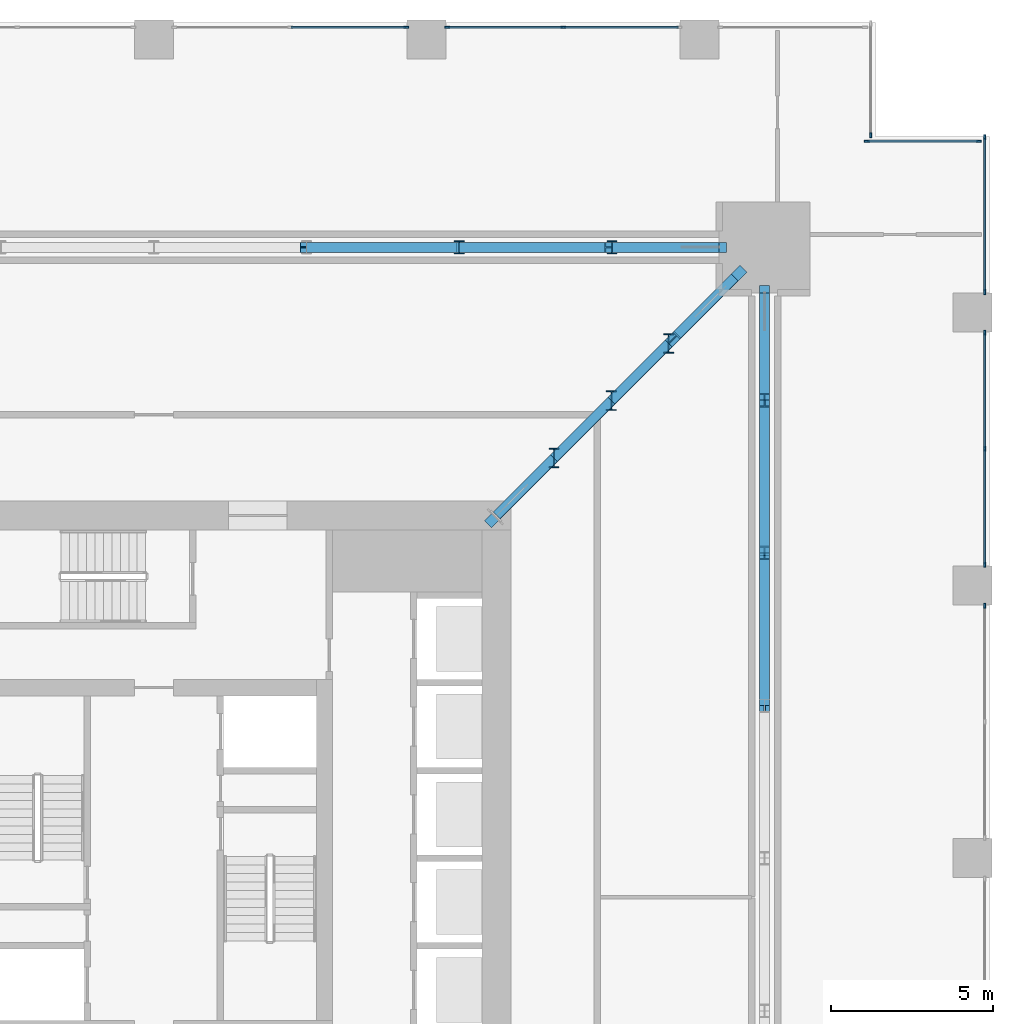
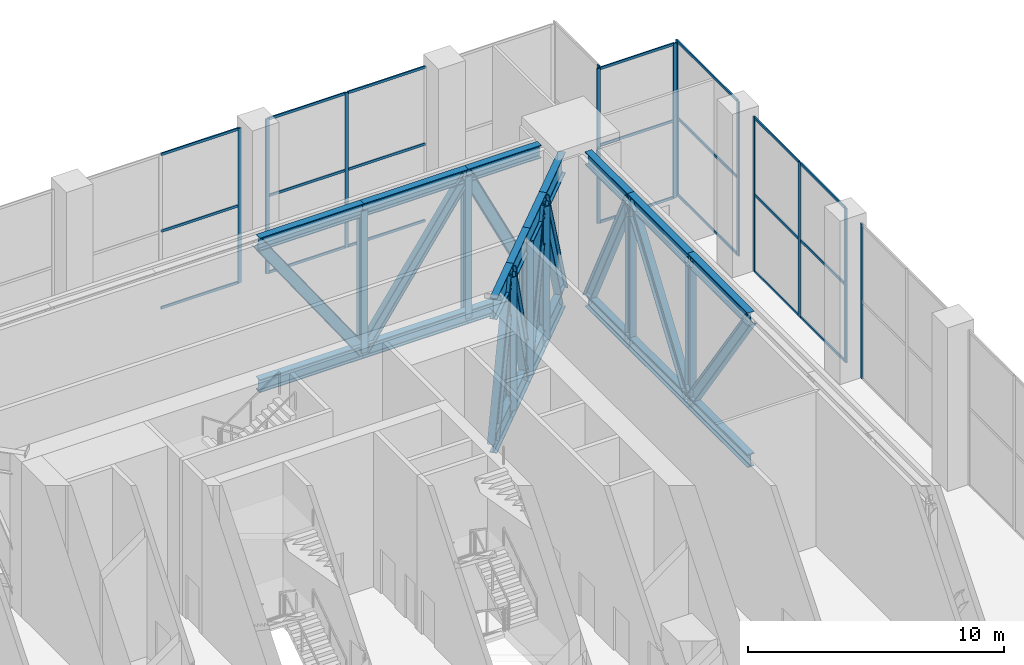
# One storey, part 9 of 21: 70 members, 7 elements without a shape of their own.
"""IFC4 building model written with IfcOpenShell, lengths in metres."""

from ifc_helpers import new_model, si_unit, direction, frame, origin, origin_2d, place, context, subcontext, project, spatial, rectangle, i_section, extrude, material, material_profile, profile_set, type_object, element, aggregate, save


model = new_model("IFC4")

# Units and contexts
model_context = context("Model", 3, precision=1e-05, world=origin(), true_north=direction((0.0, 1.0)))
body_context = subcontext(model_context, "Body", "Model", "MODEL_VIEW")
ifc_project = project(units=[si_unit("LENGTHUNIT", "METRE"), si_unit("AREAUNIT", "SQUARE_METRE"), si_unit("VOLUMEUNIT", "CUBIC_METRE"), si_unit("PLANEANGLEUNIT", "RADIAN"), si_unit("MASSUNIT", "GRAM", prefix="KILO")], contexts=[model_context])

# Site, building, storey
site_placement = place(None, origin())
site = spatial("IfcSite", under=ifc_project, at=site_placement, CompositionType="ELEMENT")
building_placement = place(site_placement, origin())
building = spatial("IfcBuilding", under=site, at=building_placement, Name="Khepri Terraces", CompositionType="ELEMENT")
storey_placement = place(building_placement, frame((0.0, 0.0, 126.0)))
storey = spatial("IfcBuildingStorey", under=building, at=storey_placement, Name="L30", CompositionType="ELEMENT", Elevation=126.0)

# Members
ifc_material_1 = material(Name="Steel S355", Category="steel")
ifc_material_profile_1 = material_profile(ifc_material_1, i_section(OverallWidth=0.304931640625, OverallDepth=0.6201171875, WebThickness=0.02099609375, FlangeThickness=0.0400390625, FilletRadius=0.027099609375, at=origin_2d()), Name="Steel S355", Category="steel")
ifc_profile_set_1 = profile_set([ifc_material_profile_1], Name="Steel S355")
member_type_1 = type_object("IfcMemberType", Name="Belt truss chord HEM 600", PredefinedType="CHORD", material=ifc_profile_set_1)
for number, where, z_axis, x_axis, name in (
    (1, (18.800048828125, 4.699951171875, 0.31005859375), (0.0, 1.0, 0.0), (-1.0, 0.0, 0.0), "Belt truss chord BT-30-E bottom 6"),
    (2, (18.800048828125, 4.699951171875, 7.070068359375), (0.0, 1.0, 0.0), (-1.0, 0.0, 0.0), "Belt truss chord BT-30-E top 6"),
):
    element("IfcMember", number, at=place(storey_placement, frame(where, z_axis=z_axis, x_axis=x_axis)), inside=storey, type_object=member_type_1, Name=name, PredefinedType="CHORD", context=body_context, shape_type="SweptSolid", body=[
        extrude(i_section(OverallWidth=0.304931640625, OverallDepth=0.6201171875, WebThickness=0.02099609375, FlangeThickness=0.0400390625, FilletRadius=0.027099609375, at=origin_2d()), origin(), (0.0, 0.0, 1.0), 4.699951171875),
    ])
for number, where, z_axis, x_axis, name in (
    (3, (18.800048828125, 9.39990234375, 0.31005859375), (0.0, 1.0, 0.0), (-1.0, 0.0, 0.0), "Belt truss chord BT-30-E bottom 7"),
    (4, (18.800048828125, 9.39990234375, 7.070068359375), (0.0, 1.0, 0.0), (-1.0, 0.0, 0.0), "Belt truss chord BT-30-E top 7"),
):
    element("IfcMember", number, at=place(storey_placement, frame(where, z_axis=z_axis, x_axis=x_axis)), inside=storey, type_object=member_type_1, Name=name, PredefinedType="CHORD", context=body_context, shape_type="SweptSolid", body=[
        extrude(i_section(OverallWidth=0.304931640625, OverallDepth=0.6201171875, WebThickness=0.02099609375, FlangeThickness=0.0400390625, FilletRadius=0.027099609375, at=origin_2d()), origin(), (0.0, 0.0, 1.0), 4.7001953125),
    ])
for number, where, z_axis, x_axis, name in (
    (5, (18.800048828125, 14.10009765625, 0.31005859375), (0.0, 1.0, 0.0), (-1.0, 0.0, 0.0), "Belt truss chord BT-30-E bottom 8"),
    (6, (18.800048828125, 14.10009765625, 7.070068359375), (0.0, 1.0, 0.0), (-1.0, 0.0, 0.0), "Belt truss chord BT-30-E top 8"),
    (7, (17.39990234375, 18.800048828125, 0.31005859375), (-1.0, 0.0, 0.0), (0.0, -1.0, 0.0), "Belt truss chord BT-30-N bottom 1"),
    (8, (17.39990234375, 18.800048828125, 7.070068359375), (-1.0, 0.0, 0.0), (0.0, -1.0, 0.0), "Belt truss chord BT-30-N top 1"),
):
    element("IfcMember", number, at=place(storey_placement, frame(where, z_axis=z_axis, x_axis=x_axis)), inside=storey, type_object=member_type_1, Name=name, PredefinedType="CHORD", context=body_context, shape_type="SweptSolid", body=[
        extrude(i_section(OverallWidth=0.304931640625, OverallDepth=0.6201171875, WebThickness=0.02099609375, FlangeThickness=0.0400390625, FilletRadius=0.027099609375, at=origin_2d()), origin(), (0.0, 0.0, 1.0), 3.2998046875),
    ])
for number, where, z_axis, x_axis, name in (
    (9, (14.10009765625, 18.800048828125, 0.31005859375), (-1.0, 0.0, 0.0), (0.0, -1.0, 0.0), "Belt truss chord BT-30-N bottom 2"),
    (10, (14.10009765625, 18.800048828125, 7.070068359375), (-1.0, 0.0, 0.0), (0.0, -1.0, 0.0), "Belt truss chord BT-30-N top 2"),
):
    element("IfcMember", number, at=place(storey_placement, frame(where, z_axis=z_axis, x_axis=x_axis)), inside=storey, type_object=member_type_1, Name=name, PredefinedType="CHORD", context=body_context, shape_type="SweptSolid", body=[
        extrude(i_section(OverallWidth=0.304931640625, OverallDepth=0.6201171875, WebThickness=0.02099609375, FlangeThickness=0.0400390625, FilletRadius=0.027099609375, at=origin_2d()), origin(), (0.0, 0.0, 1.0), 4.7001953125),
    ])
for number, where, z_axis, x_axis, name in (
    (11, (9.39990234375, 18.800048828125, 0.31005859375), (-1.0, 0.0, 0.0), (0.0, -1.0, 0.0), "Belt truss chord BT-30-N bottom 3"),
    (12, (9.39990234375, 18.800048828125, 7.070068359375), (-1.0, 0.0, 0.0), (0.0, -1.0, 0.0), "Belt truss chord BT-30-N top 3"),
):
    element("IfcMember", number, at=place(storey_placement, frame(where, z_axis=z_axis, x_axis=x_axis)), inside=storey, type_object=member_type_1, Name=name, PredefinedType="CHORD", context=body_context, shape_type="SweptSolid", body=[
        extrude(i_section(OverallWidth=0.304931640625, OverallDepth=0.6201171875, WebThickness=0.02099609375, FlangeThickness=0.0400390625, FilletRadius=0.027099609375, at=origin_2d()), origin(), (0.0, 0.0, 1.0), 4.699951171875),
    ])
ifc_material_profile_2 = material_profile(ifc_material_1, i_section(OverallWidth=0.300048828125, OverallDepth=0.5, WebThickness=0.014404296875, FlangeThickness=0.028076171875, FilletRadius=0.027099609375, at=origin_2d()), Name="Steel S355", Category="steel")
ifc_profile_set_2 = profile_set([ifc_material_profile_2], Name="Steel S355")
member_type_2 = type_object("IfcMemberType", Name="Belt truss diagonal HEB 500", PredefinedType="BRACE", material=ifc_profile_set_2)
for number, where, z_axis, x_axis, name in (
    (13, (18.800048828125, 4.699951171875, 7.070068359375), (0.0, 0.570846397071, -0.82105687437), (-1.0, 0.0, 0.0), "Belt truss diagonal BT-30-E 6"),
    (14, (18.800048828125, 9.39990234375, 0.31005859375), (0.0, 0.570866386548, 0.821042976165), (-1.0, 0.0, 0.0), "Belt truss diagonal BT-30-E 7"),
):
    element("IfcMember", number, at=place(storey_placement, frame(where, z_axis=z_axis, x_axis=x_axis)), inside=storey, type_object=member_type_2, Name=name, PredefinedType="BRACE", context=body_context, shape_type="SweptSolid", body=[
        extrude(i_section(OverallWidth=0.300048828125, OverallDepth=0.5, WebThickness=0.014404296875, FlangeThickness=0.028076171875, FilletRadius=0.027099609375, at=origin_2d()), origin(), (0.0, 0.0, 1.0), 8.2333984375),
    ])
for number, where, z_axis, x_axis, name in (
    (15, (18.800048828125, 14.10009765625, 7.070068359375), (0.0, 0.438664043467, -0.898651131958), (-1.0, 0.0, 0.0), "Belt truss diagonal BT-30-E 8"),
    (16, (17.39990234375, 18.800048828125, 0.31005859375), (-0.438664043467, 0.0, 0.898651131958), (0.0, -1.0, 0.0), "Belt truss diagonal BT-30-N 1"),
):
    element("IfcMember", number, at=place(storey_placement, frame(where, z_axis=z_axis, x_axis=x_axis)), inside=storey, type_object=member_type_2, Name=name, PredefinedType="BRACE", context=body_context, shape_type="SweptSolid", body=[
        extrude(i_section(OverallWidth=0.300048828125, OverallDepth=0.5, WebThickness=0.014404296875, FlangeThickness=0.028076171875, FilletRadius=0.027099609375, at=origin_2d()), origin(), (0.0, 0.0, 1.0), 7.5224609375),
    ])
for number, where, z_axis, x_axis, name in (
    (17, (14.10009765625, 18.800048828125, 7.070068359375), (-0.570866386548, 0.0, -0.821042976165), (0.0, -1.0, 0.0), "Belt truss diagonal BT-30-N 2"),
    (18, (9.39990234375, 18.800048828125, 0.31005859375), (-0.570846397071, 0.0, 0.82105687437), (0.0, -1.0, 0.0), "Belt truss diagonal BT-30-N 3"),
):
    element("IfcMember", number, at=place(storey_placement, frame(where, z_axis=z_axis, x_axis=x_axis)), inside=storey, type_object=member_type_2, Name=name, PredefinedType="BRACE", context=body_context, shape_type="SweptSolid", body=[
        extrude(i_section(OverallWidth=0.300048828125, OverallDepth=0.5, WebThickness=0.014404296875, FlangeThickness=0.028076171875, FilletRadius=0.027099609375, at=origin_2d()), origin(), (0.0, 0.0, 1.0), 8.2333984375),
    ])
ifc_material_profile_3 = material_profile(ifc_material_1, i_section(OverallWidth=0.300048828125, OverallDepth=0.39990234375, WebThickness=0.013427734375, FlangeThickness=0.02392578125, FilletRadius=0.027099609375, at=origin_2d()), Name="Steel S355", Category="steel")
ifc_profile_set_3 = profile_set([ifc_material_profile_3], Name="Steel S355")
member_type_3 = type_object("IfcMemberType", Name="Belt truss post HEB 400", PredefinedType="POST", material=ifc_profile_set_3)
for number, where, z_axis, x_axis, name in (
    (19, (18.800048828125, 9.39990234375, 0.31005859375), (0.0, 0.0, 1.0), (1.0, 0.0, 0.0), "Belt truss post BT-30-E 6"),
    (20, (18.800048828125, 14.10009765625, 0.31005859375), (0.0, 0.0, 1.0), (1.0, 0.0, 0.0), "Belt truss post BT-30-E 7"),
    (21, (14.10009765625, 18.800048828125, 0.31005859375), (0.0, 0.0, 1.0), (1.0, 0.0, 0.0), "Belt truss post BT-30-N 1"),
    (22, (9.39990234375, 18.800048828125, 0.31005859375), (0.0, 0.0, 1.0), (1.0, 0.0, 0.0), "Belt truss post BT-30-N 2"),
):
    element("IfcMember", number, at=place(storey_placement, frame(where, z_axis=z_axis, x_axis=x_axis)), inside=storey, type_object=member_type_3, Name=name, PredefinedType="POST", context=body_context, shape_type="SweptSolid", body=[
        extrude(i_section(OverallWidth=0.300048828125, OverallDepth=0.39990234375, WebThickness=0.013427734375, FlangeThickness=0.02392578125, FilletRadius=0.027099609375, at=origin_2d()), origin(), (0.0, 0.0, 1.0), 6.760009765625),
    ])

# Curtain wall, member
ifc_material_2 = material(Name="Anodised aluminium bronze curtain wall", Category="aluminium")
curtain_wall_type = type_object("IfcCurtainWallType", Name="CW-SYS3-SKY", PredefinedType="NOTDEFINED", material=ifc_material_2)
curtain_wall_1_placement = place(storey_placement, origin())
curtain_wall_1 = element("IfcCurtainWall", 23, at=curtain_wall_1_placement, inside=storey, type_object=curtain_wall_type, Name="Curtain wall CW3 L30 E", PredefinedType="NOTDEFINED")
ifc_material_3 = material(Name="Anodised aluminium bronze", Category="aluminium")
ifc_material_profile_4 = material_profile(ifc_material_3, rectangle(XDim=0.06005859375, YDim=0.159912109375, at=origin_2d()), Name="Anodised aluminium bronze", Category="aluminium")
ifc_profile_set_4 = profile_set([ifc_material_profile_4], Name="Anodised aluminium bronze")
member_type_4 = type_object("IfcMemberType", Name="CW-MULLION-60x160", PredefinedType="MULLION", material=ifc_profile_set_4)
member_1_placement = place(storey_placement, frame((25.570068359375, 7.77001953125, 0.0), z_axis=(0.0, 0.0, 1.0), x_axis=(-1.0, 0.0, 0.0)))
member_1 = element("IfcMember", 24, at=member_1_placement, type_object=member_type_4, Name="CW3 mullion 3", PredefinedType="MULLION", context=body_context, shape_type="SweptSolid", body=[
    extrude(rectangle(XDim=0.06005859375, YDim=0.159912109375, at=origin_2d()), origin(), (0.0, 0.0, 1.0), 7.3798828125),
])
aggregate(curtain_wall_1, [member_1])

# Curtain wall, members
curtain_wall_2_placement = place(storey_placement, origin())
curtain_wall_2 = element("IfcCurtainWall", 25, at=curtain_wall_2_placement, inside=storey, type_object=curtain_wall_type, Name="Curtain wall CW3 L30 E", PredefinedType="NOTDEFINED")
member_2_placement = place(storey_placement, frame((25.570068359375, 9.030029296875, 0.0), z_axis=(0.0, 0.0, 1.0), x_axis=(-1.0, 0.0, 0.0)))
member_2 = element("IfcMember", 26, at=member_2_placement, type_object=member_type_4, Name="CW3 mullion 1", PredefinedType="MULLION", context=body_context, shape_type="SweptSolid", body=[
    extrude(rectangle(XDim=0.06005859375, YDim=0.159912109375, at=origin_2d()), origin(), (0.0, 0.0, 1.0), 7.3798828125),
])
member_3_placement = place(storey_placement, frame((25.570068359375, 12.60009765625, 0.0), z_axis=(0.0, 0.0, 1.0), x_axis=(-1.0, 0.0, 0.0)))
member_3 = element("IfcMember", 27, at=member_3_placement, type_object=member_type_4, Name="CW3 mullion 2", PredefinedType="MULLION", context=body_context, shape_type="SweptSolid", body=[
    extrude(rectangle(XDim=0.06005859375, YDim=0.159912109375, at=origin_2d()), origin(), (0.0, 0.0, 1.0), 7.3798828125),
])
member_4_placement = place(storey_placement, frame((25.570068359375, 16.169921875, 0.0), z_axis=(0.0, 0.0, 1.0), x_axis=(-1.0, 0.0, 0.0)))
member_4 = element("IfcMember", 28, at=member_4_placement, type_object=member_type_4, Name="CW3 mullion 3", PredefinedType="MULLION", context=body_context, shape_type="SweptSolid", body=[
    extrude(rectangle(XDim=0.06005859375, YDim=0.159912109375, at=origin_2d()), origin(), (0.0, 0.0, 1.0), 7.3798828125),
])

curtain_wall_3_placement = place(storey_placement, origin())
curtain_wall_3 = element("IfcCurtainWall", 29, at=curtain_wall_3_placement, inside=storey, type_object=curtain_wall_type, Name="Curtain wall CW3 L30 E", PredefinedType="NOTDEFINED")
member_5_placement = place(storey_placement, frame((25.570068359375, 17.429931640625, 0.0), z_axis=(0.0, 0.0, 1.0), x_axis=(-1.0, 0.0, 0.0)))
member_5 = element("IfcMember", 30, at=member_5_placement, type_object=member_type_4, Name="CW3 mullion 1", PredefinedType="MULLION", context=body_context, shape_type="SweptSolid", body=[
    extrude(rectangle(XDim=0.06005859375, YDim=0.159912109375, at=origin_2d()), origin(), (0.0, 0.0, 1.0), 7.3798828125),
])
member_6_placement = place(storey_placement, frame((25.570068359375, 22.18994140625, 0.0), z_axis=(0.0, 0.0, 1.0), x_axis=(-1.0, 0.0, 0.0)))
member_6 = element("IfcMember", 31, at=member_6_placement, type_object=member_type_4, Name="CW3 mullion 2", PredefinedType="MULLION", context=body_context, shape_type="SweptSolid", body=[
    extrude(rectangle(XDim=0.06005859375, YDim=0.159912109375, at=origin_2d()), origin(), (0.0, 0.0, 1.0), 7.3798828125),
])

curtain_wall_4_placement = place(storey_placement, origin())
curtain_wall_4 = element("IfcCurtainWall", 32, at=curtain_wall_4_placement, inside=storey, type_object=curtain_wall_type, Name="Curtain wall CW3 L30 N", PredefinedType="NOTDEFINED")
member_7_placement = place(storey_placement, frame((25.389892578125, 22.070068359375, 0.0), z_axis=(0.0, 0.0, 1.0), x_axis=(0.0, -1.0, 0.0)))
member_7 = element("IfcMember", 33, at=member_7_placement, type_object=member_type_4, Name="CW3 mullion 1", PredefinedType="MULLION", context=body_context, shape_type="SweptSolid", body=[
    extrude(rectangle(XDim=0.06005859375, YDim=0.159912109375, at=origin_2d()), origin(), (0.0, 0.0, 1.0), 7.3798828125),
])
member_8_placement = place(storey_placement, frame((21.949951171875, 22.070068359375, 0.0), z_axis=(0.0, 0.0, 1.0), x_axis=(0.0, -1.0, 0.0)))
member_8 = element("IfcMember", 34, at=member_8_placement, type_object=member_type_4, Name="CW3 mullion 2", PredefinedType="MULLION", context=body_context, shape_type="SweptSolid", body=[
    extrude(rectangle(XDim=0.06005859375, YDim=0.159912109375, at=origin_2d()), origin(), (0.0, 0.0, 1.0), 7.3798828125),
])

# Curtain wall, member
curtain_wall_5_placement = place(storey_placement, origin())
curtain_wall_5 = element("IfcCurtainWall", 35, at=curtain_wall_5_placement, inside=storey, type_object=curtain_wall_type, Name="Curtain wall CW3 L30 E", PredefinedType="NOTDEFINED")
member_9_placement = place(storey_placement, frame((22.070068359375, 22.25, 0.0), z_axis=(0.0, 0.0, 1.0), x_axis=(-1.0, 0.0, 0.0)))
member_9 = element("IfcMember", 36, at=member_9_placement, type_object=member_type_4, Name="CW3 mullion 1", PredefinedType="MULLION", context=body_context, shape_type="SweptSolid", body=[
    extrude(rectangle(XDim=0.06005859375, YDim=0.159912109375, at=origin_2d()), origin(), (0.0, 0.0, 1.0), 7.3798828125),
])
aggregate(curtain_wall_5, [member_9])

# Curtain wall, members
curtain_wall_6_placement = place(storey_placement, origin())
curtain_wall_6 = element("IfcCurtainWall", 37, at=curtain_wall_6_placement, inside=storey, type_object=curtain_wall_type, Name="Curtain wall CW3 L30 N", PredefinedType="NOTDEFINED")
member_10_placement = place(storey_placement, frame((12.60009765625, 25.570068359375, 0.0), z_axis=(0.0, 0.0, 1.0), x_axis=(0.0, -1.0, 0.0)))
member_10 = element("IfcMember", 38, at=member_10_placement, type_object=member_type_4, Name="CW3 mullion 2", PredefinedType="MULLION", context=body_context, shape_type="SweptSolid", body=[
    extrude(rectangle(XDim=0.06005859375, YDim=0.159912109375, at=origin_2d()), origin(), (0.0, 0.0, 1.0), 7.3798828125),
])
member_11_placement = place(storey_placement, frame((9.030029296875, 25.570068359375, 0.0), z_axis=(0.0, 0.0, 1.0), x_axis=(0.0, -1.0, 0.0)))
member_11 = element("IfcMember", 39, at=member_11_placement, type_object=member_type_4, Name="CW3 mullion 3", PredefinedType="MULLION", context=body_context, shape_type="SweptSolid", body=[
    extrude(rectangle(XDim=0.06005859375, YDim=0.159912109375, at=origin_2d()), origin(), (0.0, 0.0, 1.0), 7.3798828125),
])

# Curtain wall, member
curtain_wall_7_placement = place(storey_placement, origin())
curtain_wall_7 = element("IfcCurtainWall", 40, at=curtain_wall_7_placement, inside=storey, type_object=curtain_wall_type, Name="Curtain wall CW3 L30 N", PredefinedType="NOTDEFINED")
member_12_placement = place(storey_placement, frame((7.77001953125, 25.570068359375, 0.0), z_axis=(0.0, 0.0, 1.0), x_axis=(0.0, -1.0, 0.0)))
member_12 = element("IfcMember", 41, at=member_12_placement, type_object=member_type_4, Name="CW3 mullion 1", PredefinedType="MULLION", context=body_context, shape_type="SweptSolid", body=[
    extrude(rectangle(XDim=0.06005859375, YDim=0.159912109375, at=origin_2d()), origin(), (0.0, 0.0, 1.0), 7.3798828125),
])

# Member
ifc_material_profile_5 = material_profile(ifc_material_3, rectangle(XDim=0.06005859375, YDim=0.1201171875, at=origin_2d()), Name="Anodised aluminium bronze", Category="aluminium")
ifc_profile_set_5 = profile_set([ifc_material_profile_5], Name="Anodised aluminium bronze")
member_type_5 = type_object("IfcMemberType", Name="CW-TRANSOM-60x120", PredefinedType="USERDEFINED", material=ifc_profile_set_5)
member_13_placement = place(storey_placement, frame((25.570068359375, 9.06005859375, 0.030029296875), z_axis=(0.0, 1.0, 0.0), x_axis=(-1.0, 0.0, 0.0)))
member_13 = element("IfcMember", 42, at=member_13_placement, type_object=member_type_5, Name="CW3 transom 1.1", ObjectType="TRANSOM", PredefinedType="USERDEFINED", context=body_context, shape_type="SweptSolid", body=[
    extrude(rectangle(XDim=0.06005859375, YDim=0.1201171875, at=origin_2d()), origin(), (0.0, 0.0, 1.0), 3.510009765625),
])

member_14_placement = place(storey_placement, frame((25.570068359375, 9.06005859375, 3.68994140625), z_axis=(0.0, 1.0, 0.0), x_axis=(-1.0, 0.0, 0.0)))
member_14 = element("IfcMember", 43, at=member_14_placement, type_object=member_type_5, Name="CW3 transom 1.2", ObjectType="TRANSOM", PredefinedType="USERDEFINED", context=body_context, shape_type="SweptSolid", body=[
    extrude(rectangle(XDim=0.06005859375, YDim=0.1201171875, at=origin_2d()), origin(), (0.0, 0.0, 1.0), 3.510009765625),
])

member_15_placement = place(storey_placement, frame((25.570068359375, 9.06005859375, 7.35009765625), z_axis=(0.0, 1.0, 0.0), x_axis=(-1.0, 0.0, 0.0)))
member_15 = element("IfcMember", 44, at=member_15_placement, type_object=member_type_5, Name="CW3 transom 1.3", ObjectType="TRANSOM", PredefinedType="USERDEFINED", context=body_context, shape_type="SweptSolid", body=[
    extrude(rectangle(XDim=0.06005859375, YDim=0.1201171875, at=origin_2d()), origin(), (0.0, 0.0, 1.0), 3.510009765625),
])

member_16_placement = place(storey_placement, frame((25.570068359375, 12.6298828125, 0.030029296875), z_axis=(0.0, 1.0, 0.0), x_axis=(-1.0, 0.0, 0.0)))
member_16 = element("IfcMember", 45, at=member_16_placement, type_object=member_type_5, Name="CW3 transom 2.1", ObjectType="TRANSOM", PredefinedType="USERDEFINED", context=body_context, shape_type="SweptSolid", body=[
    extrude(rectangle(XDim=0.06005859375, YDim=0.1201171875, at=origin_2d()), origin(), (0.0, 0.0, 1.0), 3.510009765625),
])

member_17_placement = place(storey_placement, frame((25.570068359375, 12.6298828125, 3.68994140625), z_axis=(0.0, 1.0, 0.0), x_axis=(-1.0, 0.0, 0.0)))
member_17 = element("IfcMember", 46, at=member_17_placement, type_object=member_type_5, Name="CW3 transom 2.2", ObjectType="TRANSOM", PredefinedType="USERDEFINED", context=body_context, shape_type="SweptSolid", body=[
    extrude(rectangle(XDim=0.06005859375, YDim=0.1201171875, at=origin_2d()), origin(), (0.0, 0.0, 1.0), 3.510009765625),
])

member_18_placement = place(storey_placement, frame((25.570068359375, 12.6298828125, 7.35009765625), z_axis=(0.0, 1.0, 0.0), x_axis=(-1.0, 0.0, 0.0)))
member_18 = element("IfcMember", 47, at=member_18_placement, type_object=member_type_5, Name="CW3 transom 2.3", ObjectType="TRANSOM", PredefinedType="USERDEFINED", context=body_context, shape_type="SweptSolid", body=[
    extrude(rectangle(XDim=0.06005859375, YDim=0.1201171875, at=origin_2d()), origin(), (0.0, 0.0, 1.0), 3.510009765625),
])

aggregate(curtain_wall_2, [member_2, member_3, member_4, member_13, member_14, member_15, member_16, member_17, member_18])

member_19_placement = place(storey_placement, frame((25.570068359375, 17.4599609375, 0.030029296875), z_axis=(0.0, 1.0, 0.0), x_axis=(-1.0, 0.0, 0.0)))
member_19 = element("IfcMember", 48, at=member_19_placement, type_object=member_type_5, Name="CW3 transom 1.1", ObjectType="TRANSOM", PredefinedType="USERDEFINED", context=body_context, shape_type="SweptSolid", body=[
    extrude(rectangle(XDim=0.06005859375, YDim=0.1201171875, at=origin_2d()), origin(), (0.0, 0.0, 1.0), 4.699951171875),
])

member_20_placement = place(storey_placement, frame((25.570068359375, 17.4599609375, 3.68994140625), z_axis=(0.0, 1.0, 0.0), x_axis=(-1.0, 0.0, 0.0)))
member_20 = element("IfcMember", 49, at=member_20_placement, type_object=member_type_5, Name="CW3 transom 1.2", ObjectType="TRANSOM", PredefinedType="USERDEFINED", context=body_context, shape_type="SweptSolid", body=[
    extrude(rectangle(XDim=0.06005859375, YDim=0.1201171875, at=origin_2d()), origin(), (0.0, 0.0, 1.0), 4.699951171875),
])

member_21_placement = place(storey_placement, frame((25.570068359375, 17.4599609375, 7.35009765625), z_axis=(0.0, 1.0, 0.0), x_axis=(-1.0, 0.0, 0.0)))
member_21 = element("IfcMember", 50, at=member_21_placement, type_object=member_type_5, Name="CW3 transom 1.3", ObjectType="TRANSOM", PredefinedType="USERDEFINED", context=body_context, shape_type="SweptSolid", body=[
    extrude(rectangle(XDim=0.06005859375, YDim=0.1201171875, at=origin_2d()), origin(), (0.0, 0.0, 1.0), 4.699951171875),
])

aggregate(curtain_wall_3, [member_5, member_6, member_19, member_20, member_21])

member_22_placement = place(storey_placement, frame((25.360107421875, 22.070068359375, 0.030029296875), z_axis=(-1.0, 0.0, 0.0), x_axis=(0.0, -1.0, 0.0)))
member_22 = element("IfcMember", 51, at=member_22_placement, type_object=member_type_5, Name="CW3 transom 1.1", ObjectType="TRANSOM", PredefinedType="USERDEFINED", context=body_context, shape_type="SweptSolid", body=[
    extrude(rectangle(XDim=0.06005859375, YDim=0.1201171875, at=origin_2d()), origin(), (0.0, 0.0, 1.0), 3.380126953125),
])

member_23_placement = place(storey_placement, frame((25.360107421875, 22.070068359375, 3.68994140625), z_axis=(-1.0, 0.0, 0.0), x_axis=(0.0, -1.0, 0.0)))
member_23 = element("IfcMember", 52, at=member_23_placement, type_object=member_type_5, Name="CW3 transom 1.2", ObjectType="TRANSOM", PredefinedType="USERDEFINED", context=body_context, shape_type="SweptSolid", body=[
    extrude(rectangle(XDim=0.06005859375, YDim=0.1201171875, at=origin_2d()), origin(), (0.0, 0.0, 1.0), 3.380126953125),
])

member_24_placement = place(storey_placement, frame((25.360107421875, 22.070068359375, 7.35009765625), z_axis=(-1.0, 0.0, 0.0), x_axis=(0.0, -1.0, 0.0)))
member_24 = element("IfcMember", 53, at=member_24_placement, type_object=member_type_5, Name="CW3 transom 1.3", ObjectType="TRANSOM", PredefinedType="USERDEFINED", context=body_context, shape_type="SweptSolid", body=[
    extrude(rectangle(XDim=0.06005859375, YDim=0.1201171875, at=origin_2d()), origin(), (0.0, 0.0, 1.0), 3.380126953125),
])

aggregate(curtain_wall_4, [member_7, member_8, member_22, member_23, member_24])

member_25_placement = place(storey_placement, frame((16.139892578125, 25.570068359375, 0.030029296875), z_axis=(-1.0, 0.0, 0.0), x_axis=(0.0, -1.0, 0.0)))
member_25 = element("IfcMember", 54, at=member_25_placement, type_object=member_type_5, Name="CW3 transom 1.1", ObjectType="TRANSOM", PredefinedType="USERDEFINED", context=body_context, shape_type="SweptSolid", body=[
    extrude(rectangle(XDim=0.06005859375, YDim=0.1201171875, at=origin_2d()), origin(), (0.0, 0.0, 1.0), 3.510009765625),
])

member_26_placement = place(storey_placement, frame((16.139892578125, 25.570068359375, 3.68994140625), z_axis=(-1.0, 0.0, 0.0), x_axis=(0.0, -1.0, 0.0)))
member_26 = element("IfcMember", 55, at=member_26_placement, type_object=member_type_5, Name="CW3 transom 1.2", ObjectType="TRANSOM", PredefinedType="USERDEFINED", context=body_context, shape_type="SweptSolid", body=[
    extrude(rectangle(XDim=0.06005859375, YDim=0.1201171875, at=origin_2d()), origin(), (0.0, 0.0, 1.0), 3.510009765625),
])

member_27_placement = place(storey_placement, frame((16.139892578125, 25.570068359375, 7.35009765625), z_axis=(-1.0, 0.0, 0.0), x_axis=(0.0, -1.0, 0.0)))
member_27 = element("IfcMember", 56, at=member_27_placement, type_object=member_type_5, Name="CW3 transom 1.3", ObjectType="TRANSOM", PredefinedType="USERDEFINED", context=body_context, shape_type="SweptSolid", body=[
    extrude(rectangle(XDim=0.06005859375, YDim=0.1201171875, at=origin_2d()), origin(), (0.0, 0.0, 1.0), 3.510009765625),
])

member_28_placement = place(storey_placement, frame((12.570068359375, 25.570068359375, 0.030029296875), z_axis=(-1.0, 0.0, 0.0), x_axis=(0.0, -1.0, 0.0)))
member_28 = element("IfcMember", 57, at=member_28_placement, type_object=member_type_5, Name="CW3 transom 2.1", ObjectType="TRANSOM", PredefinedType="USERDEFINED", context=body_context, shape_type="SweptSolid", body=[
    extrude(rectangle(XDim=0.06005859375, YDim=0.1201171875, at=origin_2d()), origin(), (0.0, 0.0, 1.0), 3.510009765625),
])

member_29_placement = place(storey_placement, frame((12.570068359375, 25.570068359375, 3.68994140625), z_axis=(-1.0, 0.0, 0.0), x_axis=(0.0, -1.0, 0.0)))
member_29 = element("IfcMember", 58, at=member_29_placement, type_object=member_type_5, Name="CW3 transom 2.2", ObjectType="TRANSOM", PredefinedType="USERDEFINED", context=body_context, shape_type="SweptSolid", body=[
    extrude(rectangle(XDim=0.06005859375, YDim=0.1201171875, at=origin_2d()), origin(), (0.0, 0.0, 1.0), 3.510009765625),
])

member_30_placement = place(storey_placement, frame((12.570068359375, 25.570068359375, 7.35009765625), z_axis=(-1.0, 0.0, 0.0), x_axis=(0.0, -1.0, 0.0)))
member_30 = element("IfcMember", 59, at=member_30_placement, type_object=member_type_5, Name="CW3 transom 2.3", ObjectType="TRANSOM", PredefinedType="USERDEFINED", context=body_context, shape_type="SweptSolid", body=[
    extrude(rectangle(XDim=0.06005859375, YDim=0.1201171875, at=origin_2d()), origin(), (0.0, 0.0, 1.0), 3.510009765625),
])

aggregate(curtain_wall_6, [member_10, member_11, member_25, member_26, member_27, member_28, member_29, member_30])

member_31_placement = place(storey_placement, frame((7.739990234375, 25.570068359375, 0.030029296875), z_axis=(-1.0, 0.0, 0.0), x_axis=(0.0, -1.0, 0.0)))
member_31 = element("IfcMember", 60, at=member_31_placement, type_object=member_type_5, Name="CW3 transom 1.1", ObjectType="TRANSOM", PredefinedType="USERDEFINED", context=body_context, shape_type="SweptSolid", body=[
    extrude(rectangle(XDim=0.06005859375, YDim=0.1201171875, at=origin_2d()), origin(), (0.0, 0.0, 1.0), 3.510009765625),
])

member_32_placement = place(storey_placement, frame((7.739990234375, 25.570068359375, 3.68994140625), z_axis=(-1.0, 0.0, 0.0), x_axis=(0.0, -1.0, 0.0)))
member_32 = element("IfcMember", 61, at=member_32_placement, type_object=member_type_5, Name="CW3 transom 1.2", ObjectType="TRANSOM", PredefinedType="USERDEFINED", context=body_context, shape_type="SweptSolid", body=[
    extrude(rectangle(XDim=0.06005859375, YDim=0.1201171875, at=origin_2d()), origin(), (0.0, 0.0, 1.0), 3.510009765625),
])

member_33_placement = place(storey_placement, frame((7.739990234375, 25.570068359375, 7.35009765625), z_axis=(-1.0, 0.0, 0.0), x_axis=(0.0, -1.0, 0.0)))
member_33 = element("IfcMember", 62, at=member_33_placement, type_object=member_type_5, Name="CW3 transom 1.3", ObjectType="TRANSOM", PredefinedType="USERDEFINED", context=body_context, shape_type="SweptSolid", body=[
    extrude(rectangle(XDim=0.06005859375, YDim=0.1201171875, at=origin_2d()), origin(), (0.0, 0.0, 1.0), 3.510009765625),
])

aggregate(curtain_wall_7, [member_12, member_31, member_32, member_33])

# Members
ifc_material_profile_6 = material_profile(ifc_material_1, i_section(OverallWidth=0.302001953125, OverallDepth=1.008056640625, WebThickness=0.02099609375, FlangeThickness=0.0400390625, FilletRadius=0.030029296875, at=origin_2d()), Name="Steel S355", Category="steel")
ifc_profile_set_6 = profile_set([ifc_material_profile_6], Name="Steel S355")
member_type_6 = type_object("IfcMemberType", Name="Outrigger chord HEM 1000", PredefinedType="CHORD", material=ifc_profile_set_6)
for number, where, z_axis, x_axis, name in (
    (63, (10.550048828125, 10.550048828125, 0.50390625), (0.707106781187, 0.707106781187, 0.0), (-0.707106781187, 0.707106781187, 0.0), "Outrigger chord OT-30-EN bottom 1"),
    (64, (10.550048828125, 10.550048828125, 6.8759765625), (0.707106781187, 0.707106781187, 0.0), (-0.707106781187, 0.707106781187, 0.0), "Outrigger chord OT-30-EN top 1"),
):
    element("IfcMember", number, at=place(storey_placement, frame(where, z_axis=z_axis, x_axis=x_axis)), inside=storey, type_object=member_type_6, Name=name, PredefinedType="CHORD", context=body_context, shape_type="SweptSolid", body=[
        extrude(i_section(OverallWidth=0.302001953125, OverallDepth=1.008056640625, WebThickness=0.02099609375, FlangeThickness=0.0400390625, FilletRadius=0.030029296875, at=origin_2d()), origin(), (0.0, 0.0, 1.0), 2.49658203125),
    ])
for number, where, z_axis, x_axis, name in (
    (65, (12.3154296875, 12.3154296875, 0.50390625), (0.707106781187, 0.707106781187, 0.0), (-0.707106781187, 0.707106781187, 0.0), "Outrigger chord OT-30-EN bottom 2"),
    (66, (12.3154296875, 12.3154296875, 6.8759765625), (0.707106781187, 0.707106781187, 0.0), (-0.707106781187, 0.707106781187, 0.0), "Outrigger chord OT-30-EN top 2"),
    (67, (14.0810546875, 14.0810546875, 0.50390625), (0.707106781187, 0.707106781187, 0.0), (-0.707106781187, 0.707106781187, 0.0), "Outrigger chord OT-30-EN bottom 3"),
    (68, (14.0810546875, 14.0810546875, 6.8759765625), (0.707106781187, 0.707106781187, 0.0), (-0.707106781187, 0.707106781187, 0.0), "Outrigger chord OT-30-EN top 3"),
):
    element("IfcMember", number, at=place(storey_placement, frame(where, z_axis=z_axis, x_axis=x_axis)), inside=storey, type_object=member_type_6, Name=name, PredefinedType="CHORD", context=body_context, shape_type="SweptSolid", body=[
        extrude(i_section(OverallWidth=0.302001953125, OverallDepth=1.008056640625, WebThickness=0.02099609375, FlangeThickness=0.0400390625, FilletRadius=0.030029296875, at=origin_2d()), origin(), (0.0, 0.0, 1.0), 2.4970703125),
    ])
for number, where, z_axis, x_axis, name in (
    (69, (15.8466796875, 15.8466796875, 0.50390625), (0.707106781187, 0.707106781187, 0.0), (-0.707106781187, 0.707106781187, 0.0), "Outrigger chord OT-30-EN bottom 4"),
    (70, (15.8466796875, 15.8466796875, 6.8759765625), (0.707106781187, 0.707106781187, 0.0), (-0.707106781187, 0.707106781187, 0.0), "Outrigger chord OT-30-EN top 4"),
):
    element("IfcMember", number, at=place(storey_placement, frame(where, z_axis=z_axis, x_axis=x_axis)), inside=storey, type_object=member_type_6, Name=name, PredefinedType="CHORD", context=body_context, shape_type="SweptSolid", body=[
        extrude(i_section(OverallWidth=0.302001953125, OverallDepth=1.008056640625, WebThickness=0.02099609375, FlangeThickness=0.0400390625, FilletRadius=0.030029296875, at=origin_2d()), origin(), (0.0, 0.0, 1.0), 2.876708984375),
    ])
ifc_material_profile_7 = material_profile(ifc_material_1, i_section(OverallWidth=0.302978515625, OverallDepth=0.81396484375, WebThickness=0.02099609375, FlangeThickness=0.0400390625, FilletRadius=0.030029296875, at=origin_2d()), Name="Steel S355", Category="steel")
ifc_profile_set_7 = profile_set([ifc_material_profile_7], Name="Steel S355")
member_type_7 = type_object("IfcMemberType", Name="Outrigger diagonal HEM 800", PredefinedType="BRACE", material=ifc_profile_set_7)
for number, where, z_axis, x_axis, name in (
    (71, (10.550048828125, 10.550048828125, 0.50390625), (0.257956556739, 0.257956556739, 0.931083685643), (-0.707106781187, 0.707106781187, 0.0), "Outrigger diagonal OT-30-EN 1"),
    (72, (12.3154296875, 12.3154296875, 6.8759765625), (0.25798748202, 0.25798748202, -0.931066548772), (-0.707106781187, 0.707106781187, 0.0), "Outrigger diagonal OT-30-EN 2"),
    (73, (14.0810546875, 14.0810546875, 0.50390625), (0.25798748202, 0.25798748202, 0.931066548772), (-0.707106781187, 0.707106781187, 0.0), "Outrigger diagonal OT-30-EN 3"),
):
    element("IfcMember", number, at=place(storey_placement, frame(where, z_axis=z_axis, x_axis=x_axis)), inside=storey, type_object=member_type_7, Name=name, PredefinedType="BRACE", context=body_context, shape_type="SweptSolid", body=[
        extrude(i_section(OverallWidth=0.302978515625, OverallDepth=0.81396484375, WebThickness=0.02099609375, FlangeThickness=0.0400390625, FilletRadius=0.030029296875, at=origin_2d()), origin(), (0.0, 0.0, 1.0), 6.84375),
    ])
member_34_placement = place(storey_placement, frame((15.8466796875, 15.8466796875, 6.8759765625), z_axis=(0.290956401625, 0.290956401625, -0.911421277295), x_axis=(-0.707106781187, 0.707106781187, 0.0)))
element("IfcMember", 74, at=member_34_placement, inside=storey, type_object=member_type_7, Name="Outrigger diagonal OT-30-EN 4", PredefinedType="BRACE", context=body_context, shape_type="SweptSolid", body=[
    extrude(i_section(OverallWidth=0.302978515625, OverallDepth=0.81396484375, WebThickness=0.02099609375, FlangeThickness=0.0400390625, FilletRadius=0.030029296875, at=origin_2d()), origin(), (0.0, 0.0, 1.0), 6.991455078125),
])
ifc_material_profile_8 = material_profile(ifc_material_1, i_section(OverallWidth=0.300048828125, OverallDepth=0.60009765625, WebThickness=0.015380859375, FlangeThickness=0.030029296875, FilletRadius=0.027099609375, at=origin_2d()), Name="Steel S355", Category="steel")
ifc_profile_set_8 = profile_set([ifc_material_profile_8], Name="Steel S355")
member_type_8 = type_object("IfcMemberType", Name="Outrigger post HEB 600", PredefinedType="POST", material=ifc_profile_set_8)
for number, where, z_axis, x_axis, name in (
    (75, (12.3154296875, 12.3154296875, 0.50390625), (0.0, 0.0, 1.0), (1.0, 0.0, 0.0), "Outrigger post OT-30-EN 1"),
    (76, (14.0810546875, 14.0810546875, 0.50390625), (0.0, 0.0, 1.0), (1.0, 0.0, 0.0), "Outrigger post OT-30-EN 2"),
    (77, (15.8466796875, 15.8466796875, 0.50390625), (0.0, 0.0, 1.0), (1.0, 0.0, 0.0), "Outrigger post OT-30-EN 3"),
):
    element("IfcMember", number, at=place(storey_placement, frame(where, z_axis=z_axis, x_axis=x_axis)), inside=storey, type_object=member_type_8, Name=name, PredefinedType="POST", context=body_context, shape_type="SweptSolid", body=[
        extrude(i_section(OverallWidth=0.300048828125, OverallDepth=0.60009765625, WebThickness=0.015380859375, FlangeThickness=0.030029296875, FilletRadius=0.027099609375, at=origin_2d()), origin(), (0.0, 0.0, 1.0), 6.3720703125),
    ])

save(model, "model.ifc")
